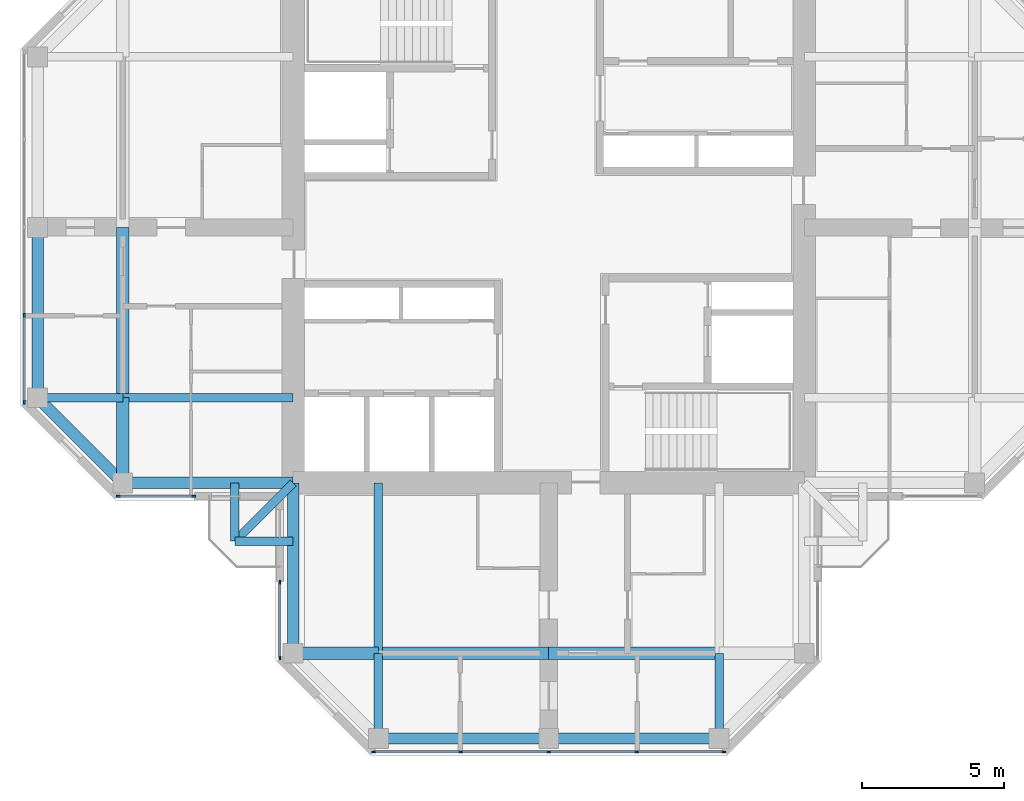
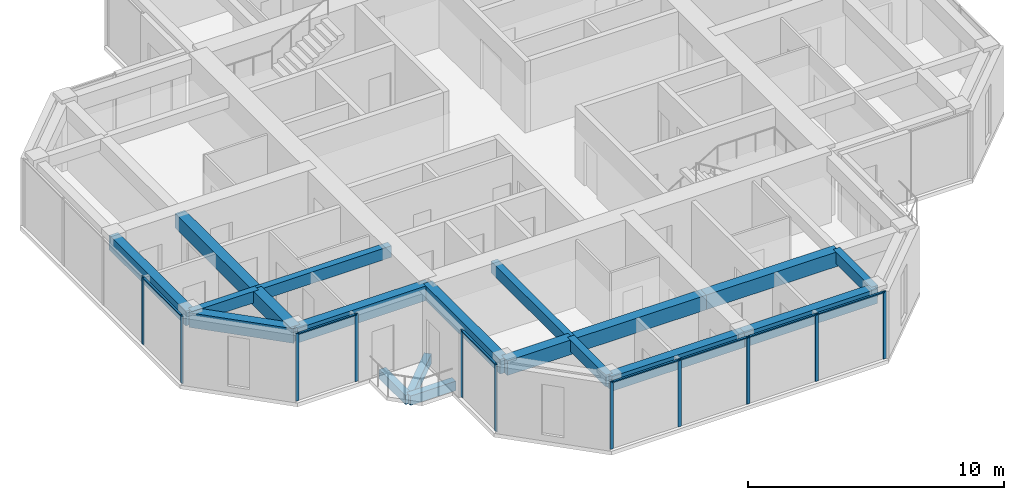
# One storey, part 2 of 13: 19 beams, 18 members, 4 elements without a shape of their own.
"""IFC4 building model written with IfcOpenShell, lengths in metres."""

from ifc_helpers import new_model, si_unit, direction, frame, origin, origin_2d, place, context, subcontext, project, spatial, rectangle, extrude, material, material_profile, profile_set, type_object, element, aggregate, save


model = new_model("IFC4")

# Units and contexts
model_context = context("Model", 3, precision=1e-05, world=origin(), true_north=direction((0.0, 1.0)))
body_context = subcontext(model_context, "Body", "Model", "MODEL_VIEW")
ifc_project = project(units=[si_unit("LENGTHUNIT", "METRE"), si_unit("AREAUNIT", "SQUARE_METRE"), si_unit("VOLUMEUNIT", "CUBIC_METRE"), si_unit("PLANEANGLEUNIT", "RADIAN"), si_unit("MASSUNIT", "GRAM", prefix="KILO")], contexts=[model_context])

# Site, building, storey
site_placement = place(None, origin())
site = spatial("IfcSite", under=ifc_project, at=site_placement, CompositionType="ELEMENT")
building_placement = place(site_placement, origin())
building = spatial("IfcBuilding", under=site, at=building_placement, Name="Torre Cruceta", CompositionType="ELEMENT")
storey_placement = place(building_placement, frame((0.0, 0.0, 278.10009765625)))
storey = spatial("IfcBuildingStorey", under=building, at=storey_placement, Name="L72", CompositionType="ELEMENT", Elevation=278.10009765625)

# Beams
ifc_material_1 = material(Name="Concrete G60 (fck 60 MPa)", Category="concrete")
ifc_material_profile_1 = material_profile(ifc_material_1, rectangle(XDim=0.300048828125, YDim=0.449951171875, at=origin_2d()), Name="RC 300X450")
ifc_profile_set_1 = profile_set([ifc_material_profile_1], Name="Concrete G60 (fck 60 MPa)")
beam_type_1 = type_object("IfcBeamType", Name="BALCONY CANTILEVER BEAM RC 300X450", PredefinedType="BEAM", material=ifc_profile_set_1)
beam_1_placement = place(storey_placement, frame((-9.0, -9.0, -0.405029296875), z_axis=(-0.707106781187, -0.707106781187, 0.0), x_axis=(0.707106781187, -0.707106781187, 0.0)))
element("IfcBeam", 1, at=beam_1_placement, inside=storey, type_object=beam_type_1, Name="BB1 balcony beam L72 W", PredefinedType="BEAM", context=body_context, shape_type="SweptSolid", body=[
    extrude(rectangle(XDim=0.300048828125, YDim=0.449951171875, at=origin_2d()), origin(), (0.0, 0.0, 1.0), 2.89990234375),
])
for number, where, z_axis, x_axis, name in (
    (2, (-11.050537109375, -9.0, -0.405029296875), (0.0, -1.0, 0.0), (1.0, 0.0, 0.0), "BB1 balcony edge beam L72 W-X"),
    (3, (-9.0, -11.050537109375, -0.405029296875), (-1.0, 0.0, 0.0), (0.0, -1.0, 0.0), "BB1 balcony edge beam L72 W-Y"),
):
    element("IfcBeam", number, at=place(storey_placement, frame(where, z_axis=z_axis, x_axis=x_axis)), inside=storey, type_object=beam_type_1, Name=name, PredefinedType="BEAM", context=body_context, shape_type="SweptSolid", body=[
        extrude(rectangle(XDim=0.300048828125, YDim=0.449951171875, at=origin_2d()), origin(), (0.0, 0.0, 1.0), 2.050537109375),
    ])
ifc_material_2 = material(Name="Concrete G60 (fck 60 MPa)", Category="concrete")
ifc_material_profile_2 = material_profile(ifc_material_2, rectangle(XDim=0.300048828125, YDim=0.550048828125, at=origin_2d()), Name="RC 300X550")
ifc_profile_set_2 = profile_set([ifc_material_profile_2], Name="Concrete G60 (fck 60 MPa)")
beam_type_2 = type_object("IfcBeamType", Name="COLUMN LINE BEAM RC 300X550", PredefinedType="BEAM", material=ifc_profile_set_2)
beam_2_placement = place(storey_placement, frame((-6.0, -9.0, 2.94482421875), z_axis=(0.0, -1.0, 0.0), x_axis=(1.0, 0.0, 0.0)))
element("IfcBeam", 4, at=beam_2_placement, inside=storey, type_object=beam_type_2, Name="LB10 L72 S col- 1", PredefinedType="BEAM", context=body_context, shape_type="SweptSolid", body=[
    extrude(rectangle(XDim=0.300048828125, YDim=0.550048828125, at=origin_2d()), origin(), (0.0, 0.0, 1.0), 6.0),
])
for number, where, z_axis, x_axis, name in (
    (5, (-6.0, -15.0, 2.94482421875), (0.0, -1.0, 0.0), (1.0, 0.0, 0.0), "LB10 L72 S col- 2"),
    (6, (6.0, -15.0, 2.94482421875), (0.0, -1.0, 0.0), (1.0, 0.0, 0.0), "LB10 L72 S col+ 2"),
):
    element("IfcBeam", number, at=place(storey_placement, frame(where, z_axis=z_axis, x_axis=x_axis)), inside=storey, type_object=beam_type_2, Name=name, PredefinedType="BEAM", context=body_context, shape_type="SweptSolid", body=[
        extrude(rectangle(XDim=0.300048828125, YDim=0.550048828125, at=origin_2d()), origin(), (0.0, 0.0, 1.0), 3.0),
    ])
beam_3_placement = place(storey_placement, frame((-9.0, -6.0, 2.94482421875), z_axis=(-1.0, 0.0, 0.0), x_axis=(0.0, -1.0, 0.0)))
element("IfcBeam", 7, at=beam_3_placement, inside=storey, type_object=beam_type_2, Name="LB10 L72 W col+ 1", PredefinedType="BEAM", context=body_context, shape_type="SweptSolid", body=[
    extrude(rectangle(XDim=0.300048828125, YDim=0.550048828125, at=origin_2d()), origin(), (0.0, 0.0, 1.0), 6.0),
])
beam_4_placement = place(storey_placement, frame((-15.0, -6.0, 2.94482421875), z_axis=(-1.0, 0.0, 0.0), x_axis=(0.0, -1.0, 0.0)))
element("IfcBeam", 8, at=beam_4_placement, inside=storey, type_object=beam_type_2, Name="LB10 L72 W col+ 2", PredefinedType="BEAM", context=body_context, shape_type="SweptSolid", body=[
    extrude(rectangle(XDim=0.300048828125, YDim=0.550048828125, at=origin_2d()), origin(), (0.0, 0.0, 1.0), 3.0),
])
ifc_material_3 = material(Name="Concrete G60 (fck 60 MPa)", Category="concrete")
ifc_material_profile_3 = material_profile(ifc_material_3, rectangle(XDim=0.449951171875, YDim=0.699951171875, at=origin_2d()), Name="RC 450X700")
ifc_profile_set_3 = profile_set([ifc_material_profile_3], Name="Concrete G60 (fck 60 MPa)")
beam_type_3 = type_object("IfcBeamType", Name="CROSS BEAM RC 450X700", PredefinedType="BEAM", material=ifc_profile_set_3)
beam_5_placement = place(storey_placement, frame((-9.0, -15.0, 2.869873046875), z_axis=(1.0, 0.0, 0.0), x_axis=(0.0, 1.0, 0.0)))
element("IfcBeam", 9, at=beam_5_placement, inside=storey, type_object=beam_type_3, Name="GB8 L72 S cross15 1", PredefinedType="BEAM", context=body_context, shape_type="SweptSolid", body=[
    extrude(rectangle(XDim=0.449951171875, YDim=0.699951171875, at=origin_2d()), origin(), (0.0, 0.0, 1.0), 3.0),
])
for number, where, z_axis, x_axis, name in (
    (10, (-6.0, -15.0, 2.869873046875), (1.0, 0.0, 0.0), (0.0, 1.0, 0.0), "GB8 L72 S cross15 2"),
    (11, (0.0, -15.0, 2.869873046875), (1.0, 0.0, 0.0), (0.0, 1.0, 0.0), "GB8 L72 S cross15 3"),
    (12, (-15.0, 0.0, 2.869873046875), (0.0, -1.0, 0.0), (1.0, 0.0, 0.0), "GB8 L72 W cross15 3"),
):
    element("IfcBeam", number, at=place(storey_placement, frame(where, z_axis=z_axis, x_axis=x_axis)), inside=storey, type_object=beam_type_3, Name=name, PredefinedType="BEAM", context=body_context, shape_type="SweptSolid", body=[
        extrude(rectangle(XDim=0.449951171875, YDim=0.699951171875, at=origin_2d()), origin(), (0.0, 0.0, 1.0), 6.0),
    ])
beam_6_placement = place(storey_placement, frame((-15.0, -6.0, 2.869873046875), z_axis=(0.0, -1.0, 0.0), x_axis=(1.0, 0.0, 0.0)))
element("IfcBeam", 13, at=beam_6_placement, inside=storey, type_object=beam_type_3, Name="GB8 L72 W cross15 4", PredefinedType="BEAM", context=body_context, shape_type="SweptSolid", body=[
    extrude(rectangle(XDim=0.449951171875, YDim=0.699951171875, at=origin_2d()), origin(), (0.0, 0.0, 1.0), 3.0),
])

# Curtain wall, members
ifc_material_4 = material(Name="Aluminium unitised curtain wall", Category="aluminium")
curtain_wall_type = type_object("IfcCurtainWallType", Name="CURTAIN WALL CW-E CO-LIVING TOP", PredefinedType="USERDEFINED", material=ifc_material_4)
curtain_wall_1_placement = place(storey_placement, origin())
curtain_wall_1 = element("IfcCurtainWall", 14, at=curtain_wall_1_placement, inside=storey, type_object=curtain_wall_type, Name="CW-E L72 W tip 12", ObjectType="UNITISED", PredefinedType="USERDEFINED")
ifc_material_5 = material(Name="Aluminium mullion", Category="aluminium")
ifc_material_profile_4 = material_profile(ifc_material_5, rectangle(XDim=0.054931640625, YDim=0.139892578125, at=origin_2d()), Name="AL 55X140")
ifc_profile_set_4 = profile_set([ifc_material_profile_4], Name="Aluminium mullion")
member_type_1 = type_object("IfcMemberType", Name="CW-E MULLION 55X140", PredefinedType="MULLION", material=ifc_profile_set_4)
member_1_placement = place(storey_placement, frame((-18.469970703125, -3.097412109375, 0.0), z_axis=(0.0, 0.0, 1.0), x_axis=(1.0, 0.0, 0.0)))
member_1 = element("IfcMember", 15, at=member_1_placement, type_object=member_type_1, Name="CW-E mullion 4", PredefinedType="MULLION", context=body_context, shape_type="SweptSolid", body=[
    extrude(rectangle(XDim=0.054931640625, YDim=0.139892578125, at=origin_2d()), origin(), (0.0, 0.0, 1.0), 3.219970703125),
])
member_2_placement = place(storey_placement, frame((-18.469970703125, -6.167236328125, 0.0), z_axis=(0.0, 0.0, 1.0), x_axis=(1.0, 0.0, 0.0)))
member_2 = element("IfcMember", 16, at=member_2_placement, type_object=member_type_1, Name="CW-E mullion 5", PredefinedType="MULLION", context=body_context, shape_type="SweptSolid", body=[
    extrude(rectangle(XDim=0.054931640625, YDim=0.139892578125, at=origin_2d()), origin(), (0.0, 0.0, 1.0), 3.219970703125),
])

curtain_wall_2_placement = place(storey_placement, origin())
curtain_wall_2 = element("IfcCurtainWall", 17, at=curtain_wall_2_placement, inside=storey, type_object=curtain_wall_type, Name="CW-E L72 W side 14", ObjectType="UNITISED", PredefinedType="USERDEFINED")
member_3_placement = place(storey_placement, frame((-15.167236328125, -9.469970703125, 0.0), z_axis=(0.0, 0.0, 1.0), x_axis=(0.0, 1.0, 0.0)))
member_3 = element("IfcMember", 18, at=member_3_placement, type_object=member_type_1, Name="CW-E mullion 1", PredefinedType="MULLION", context=body_context, shape_type="SweptSolid", body=[
    extrude(rectangle(XDim=0.054931640625, YDim=0.139892578125, at=origin_2d()), origin(), (0.0, 0.0, 1.0), 3.219970703125),
])
member_4_placement = place(storey_placement, frame((-12.49755859375, -9.469970703125, 0.0), z_axis=(0.0, 0.0, 1.0), x_axis=(0.0, 1.0, 0.0)))
member_4 = element("IfcMember", 19, at=member_4_placement, type_object=member_type_1, Name="CW-E mullion 2", PredefinedType="MULLION", context=body_context, shape_type="SweptSolid", body=[
    extrude(rectangle(XDim=0.054931640625, YDim=0.139892578125, at=origin_2d()), origin(), (0.0, 0.0, 1.0), 3.219970703125),
])

curtain_wall_3_placement = place(storey_placement, origin())
curtain_wall_3 = element("IfcCurtainWall", 20, at=curtain_wall_3_placement, inside=storey, type_object=curtain_wall_type, Name="CW-E L72 S side 15", ObjectType="UNITISED", PredefinedType="USERDEFINED")
member_5_placement = place(storey_placement, frame((-9.469970703125, -12.49755859375, 0.0), z_axis=(0.0, 0.0, 1.0), x_axis=(1.0, 0.0, 0.0)))
member_5 = element("IfcMember", 21, at=member_5_placement, type_object=member_type_1, Name="CW-E mullion 1", PredefinedType="MULLION", context=body_context, shape_type="SweptSolid", body=[
    extrude(rectangle(XDim=0.054931640625, YDim=0.139892578125, at=origin_2d()), origin(), (0.0, 0.0, 1.0), 3.219970703125),
])
member_6_placement = place(storey_placement, frame((-9.469970703125, -15.167236328125, 0.0), z_axis=(0.0, 0.0, 1.0), x_axis=(1.0, 0.0, 0.0)))
member_6 = element("IfcMember", 22, at=member_6_placement, type_object=member_type_1, Name="CW-E mullion 2", PredefinedType="MULLION", context=body_context, shape_type="SweptSolid", body=[
    extrude(rectangle(XDim=0.054931640625, YDim=0.139892578125, at=origin_2d()), origin(), (0.0, 0.0, 1.0), 3.219970703125),
])

curtain_wall_4_placement = place(storey_placement, origin())
curtain_wall_4 = element("IfcCurtainWall", 23, at=curtain_wall_4_placement, inside=storey, type_object=curtain_wall_type, Name="CW-E L72 S tip 17", ObjectType="UNITISED", PredefinedType="USERDEFINED")
member_7_placement = place(storey_placement, frame((-6.167236328125, -18.469970703125, 0.0), z_axis=(0.0, 0.0, 1.0), x_axis=(0.0, 1.0, 0.0)))
member_7 = element("IfcMember", 24, at=member_7_placement, type_object=member_type_1, Name="CW-E mullion 1", PredefinedType="MULLION", context=body_context, shape_type="SweptSolid", body=[
    extrude(rectangle(XDim=0.054931640625, YDim=0.139892578125, at=origin_2d()), origin(), (0.0, 0.0, 1.0), 3.219970703125),
])
member_8_placement = place(storey_placement, frame((-3.097412109375, -18.469970703125, 0.0), z_axis=(0.0, 0.0, 1.0), x_axis=(0.0, 1.0, 0.0)))
member_8 = element("IfcMember", 25, at=member_8_placement, type_object=member_type_1, Name="CW-E mullion 2", PredefinedType="MULLION", context=body_context, shape_type="SweptSolid", body=[
    extrude(rectangle(XDim=0.054931640625, YDim=0.139892578125, at=origin_2d()), origin(), (0.0, 0.0, 1.0), 3.219970703125),
])
member_9_placement = place(storey_placement, frame((0.0, -18.469970703125, 0.0), z_axis=(0.0, 0.0, 1.0), x_axis=(0.0, 1.0, 0.0)))
member_9 = element("IfcMember", 26, at=member_9_placement, type_object=member_type_1, Name="CW-E mullion 3", PredefinedType="MULLION", context=body_context, shape_type="SweptSolid", body=[
    extrude(rectangle(XDim=0.054931640625, YDim=0.139892578125, at=origin_2d()), origin(), (0.0, 0.0, 1.0), 3.219970703125),
])
member_10_placement = place(storey_placement, frame((3.097412109375, -18.469970703125, 0.0), z_axis=(0.0, 0.0, 1.0), x_axis=(0.0, 1.0, 0.0)))
member_10 = element("IfcMember", 27, at=member_10_placement, type_object=member_type_1, Name="CW-E mullion 4", PredefinedType="MULLION", context=body_context, shape_type="SweptSolid", body=[
    extrude(rectangle(XDim=0.054931640625, YDim=0.139892578125, at=origin_2d()), origin(), (0.0, 0.0, 1.0), 3.219970703125),
])
member_11_placement = place(storey_placement, frame((6.167236328125, -18.469970703125, 0.0), z_axis=(0.0, 0.0, 1.0), x_axis=(0.0, 1.0, 0.0)))
member_11 = element("IfcMember", 28, at=member_11_placement, type_object=member_type_1, Name="CW-E mullion 5", PredefinedType="MULLION", context=body_context, shape_type="SweptSolid", body=[
    extrude(rectangle(XDim=0.054931640625, YDim=0.139892578125, at=origin_2d()), origin(), (0.0, 0.0, 1.0), 3.219970703125),
])

# Member
ifc_material_6 = material(Name="Aluminium transom", Category="aluminium")
ifc_material_profile_5 = material_profile(ifc_material_6, rectangle(XDim=0.090087890625, YDim=0.054931640625, at=origin_2d()), Name="AL 90X55")
ifc_profile_set_5 = profile_set([ifc_material_profile_5], Name="Aluminium transom")
member_type_2 = type_object("IfcMemberType", Name="CW-E TRANSOM 55X90", PredefinedType="USERDEFINED", material=ifc_profile_set_5)
member_12_placement = place(storey_placement, frame((-18.469970703125, -3.124755859375, 3.1923828125), z_axis=(0.0, -1.0, 0.0), x_axis=(1.0, 0.0, 0.0)))
member_12 = element("IfcMember", 29, at=member_12_placement, type_object=member_type_2, Name="CW-E transom 4", ObjectType="TRANSOM", PredefinedType="USERDEFINED", context=body_context, shape_type="SweptSolid", body=[
    extrude(rectangle(XDim=0.090087890625, YDim=0.054931640625, at=origin_2d()), origin(), (0.0, 0.0, 1.0), 3.014892578125),
])

aggregate(curtain_wall_1, [member_1, member_2, member_12])

member_13_placement = place(storey_placement, frame((-15.1396484375, -9.469970703125, 3.1923828125), z_axis=(1.0, 0.0, 0.0), x_axis=(0.0, 1.0, 0.0)))
member_13 = element("IfcMember", 30, at=member_13_placement, type_object=member_type_2, Name="CW-E transom 1", ObjectType="TRANSOM", PredefinedType="USERDEFINED", context=body_context, shape_type="SweptSolid", body=[
    extrude(rectangle(XDim=0.090087890625, YDim=0.054931640625, at=origin_2d()), origin(), (0.0, 0.0, 1.0), 2.61474609375),
])

aggregate(curtain_wall_2, [member_3, member_4, member_13])

member_14_placement = place(storey_placement, frame((-9.469970703125, -12.52490234375, 3.1923828125), z_axis=(0.0, -1.0, 0.0), x_axis=(1.0, 0.0, 0.0)))
member_14 = element("IfcMember", 31, at=member_14_placement, type_object=member_type_2, Name="CW-E transom 1", ObjectType="TRANSOM", PredefinedType="USERDEFINED", context=body_context, shape_type="SweptSolid", body=[
    extrude(rectangle(XDim=0.090087890625, YDim=0.054931640625, at=origin_2d()), origin(), (0.0, 0.0, 1.0), 2.61474609375),
])

aggregate(curtain_wall_3, [member_5, member_6, member_14])

member_15_placement = place(storey_placement, frame((-6.1396484375, -18.469970703125, 3.1923828125), z_axis=(1.0, 0.0, 0.0), x_axis=(0.0, 1.0, 0.0)))
member_15 = element("IfcMember", 32, at=member_15_placement, type_object=member_type_2, Name="CW-E transom 1", ObjectType="TRANSOM", PredefinedType="USERDEFINED", context=body_context, shape_type="SweptSolid", body=[
    extrude(rectangle(XDim=0.090087890625, YDim=0.054931640625, at=origin_2d()), origin(), (0.0, 0.0, 1.0), 3.014892578125),
])

member_16_placement = place(storey_placement, frame((-3.06982421875, -18.469970703125, 3.1923828125), z_axis=(1.0, 0.0, 0.0), x_axis=(0.0, 1.0, 0.0)))
member_16 = element("IfcMember", 33, at=member_16_placement, type_object=member_type_2, Name="CW-E transom 2", ObjectType="TRANSOM", PredefinedType="USERDEFINED", context=body_context, shape_type="SweptSolid", body=[
    extrude(rectangle(XDim=0.090087890625, YDim=0.054931640625, at=origin_2d()), origin(), (0.0, 0.0, 1.0), 3.042236328125),
])

member_17_placement = place(storey_placement, frame((0.027587890625, -18.469970703125, 3.1923828125), z_axis=(1.0, 0.0, 0.0), x_axis=(0.0, 1.0, 0.0)))
member_17 = element("IfcMember", 34, at=member_17_placement, type_object=member_type_2, Name="CW-E transom 3", ObjectType="TRANSOM", PredefinedType="USERDEFINED", context=body_context, shape_type="SweptSolid", body=[
    extrude(rectangle(XDim=0.090087890625, YDim=0.054931640625, at=origin_2d()), origin(), (0.0, 0.0, 1.0), 3.042236328125),
])

member_18_placement = place(storey_placement, frame((3.124755859375, -18.469970703125, 3.1923828125), z_axis=(1.0, 0.0, 0.0), x_axis=(0.0, 1.0, 0.0)))
member_18 = element("IfcMember", 35, at=member_18_placement, type_object=member_type_2, Name="CW-E transom 4", ObjectType="TRANSOM", PredefinedType="USERDEFINED", context=body_context, shape_type="SweptSolid", body=[
    extrude(rectangle(XDim=0.090087890625, YDim=0.054931640625, at=origin_2d()), origin(), (0.0, 0.0, 1.0), 3.014892578125),
])

aggregate(curtain_wall_4, [member_7, member_8, member_9, member_10, member_11, member_15, member_16, member_17, member_18])

# Beams
ifc_material_7 = material(Name="Concrete G60 (fck 60 MPa)", Category="concrete")
ifc_material_profile_6 = material_profile(ifc_material_7, rectangle(XDim=0.39990234375, YDim=0.699951171875, at=origin_2d()), Name="RC 400X700")
ifc_profile_set_6 = profile_set([ifc_material_profile_6], Name="Concrete G60 (fck 60 MPa)")
beam_type_4 = type_object("IfcBeamType", Name="SPANDREL BEAM RC 400X700", PredefinedType="SPANDREL", material=ifc_profile_set_6)
for number, where, z_axis, x_axis, name in (
    (36, (-9.0, -9.0, 2.869873046875), (0.0, -1.0, 0.0), (1.0, 0.0, 0.0), "SB8 L72 S side- 1"),
    (37, (-6.0, -18.0, 2.869873046875), (1.0, 0.0, 0.0), (0.0, 1.0, 0.0), "SB8 L72 S tip 1"),
    (38, (0.0, -18.0, 2.869873046875), (1.0, 0.0, 0.0), (0.0, 1.0, 0.0), "SB8 L72 S tip 2"),
    (39, (-9.0, -9.0, 2.869873046875), (-1.0, 0.0, 0.0), (0.0, -1.0, 0.0), "SB8 L72 W side+ 1"),
):
    element("IfcBeam", number, at=place(storey_placement, frame(where, z_axis=z_axis, x_axis=x_axis)), inside=storey, type_object=beam_type_4, Name=name, PredefinedType="SPANDREL", context=body_context, shape_type="SweptSolid", body=[
        extrude(rectangle(XDim=0.39990234375, YDim=0.699951171875, at=origin_2d()), origin(), (0.0, 0.0, 1.0), 6.0),
    ])
beam_7_placement = place(storey_placement, frame((-15.0, -9.0, 2.869873046875), z_axis=(-0.707106781187, 0.707106781187, 0.0), x_axis=(-0.707106781187, -0.707106781187, 0.0)))
element("IfcBeam", 40, at=beam_7_placement, inside=storey, type_object=beam_type_4, Name="SB8 L72 W side+ 2", PredefinedType="SPANDREL", context=body_context, shape_type="SweptSolid", body=[
    extrude(rectangle(XDim=0.39990234375, YDim=0.699951171875, at=origin_2d()), origin(), (0.0, 0.0, 1.0), 4.24267578125),
])
beam_8_placement = place(storey_placement, frame((-18.0, 0.0, 2.869873046875), z_axis=(0.0, -1.0, 0.0), x_axis=(1.0, 0.0, 0.0)))
element("IfcBeam", 41, at=beam_8_placement, inside=storey, type_object=beam_type_4, Name="SB8 L72 W tip 2", PredefinedType="SPANDREL", context=body_context, shape_type="SweptSolid", body=[
    extrude(rectangle(XDim=0.39990234375, YDim=0.699951171875, at=origin_2d()), origin(), (0.0, 0.0, 1.0), 6.0),
])

save(model, "model.ifc")
